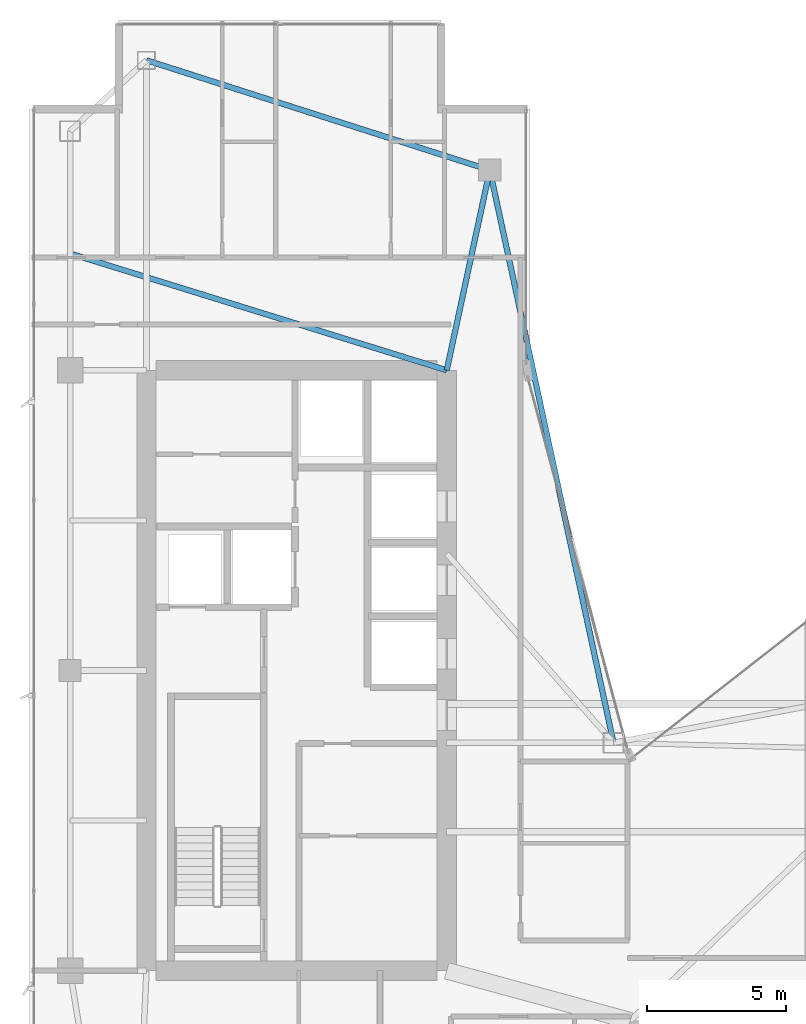
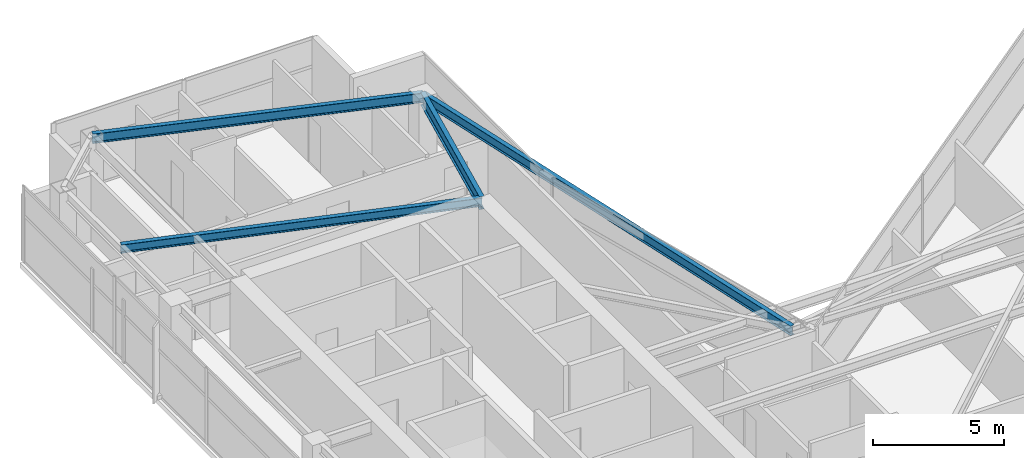
# One storey, part 19 of 30: 4 beams.
"""IFC4 building model written with IfcOpenShell, lengths in metres."""

from ifc_helpers import new_model, si_unit, direction, frame, origin, origin_2d, place, context, subcontext, project, spatial, i_section, extrude, material, material_profile, profile_set, type_object, element, save


model = new_model("IFC4")

# Units and contexts
model_context = context("Model", 3, precision=1e-05, world=origin(), true_north=direction((0.0, 1.0)))
body_context = subcontext(model_context, "Body", "Model", "MODEL_VIEW")
ifc_project = project(units=[si_unit("LENGTHUNIT", "METRE"), si_unit("AREAUNIT", "SQUARE_METRE"), si_unit("VOLUMEUNIT", "CUBIC_METRE"), si_unit("PLANEANGLEUNIT", "RADIAN"), si_unit("MASSUNIT", "GRAM", prefix="KILO")], contexts=[model_context])

# Site, building, storey
site_placement = place(None, origin())
site = spatial("IfcSite", under=ifc_project, at=site_placement, CompositionType="ELEMENT")
building_placement = place(site_placement, origin())
building = spatial("IfcBuilding", under=site, at=building_placement, Name="Calvorn Quay Hotel", CompositionType="ELEMENT")
storey_placement = place(building_placement, frame((0.0, 0.0, 207.199951171875)))
storey = spatial("IfcBuildingStorey", under=building, at=storey_placement, Name="L51", CompositionType="ELEMENT", Elevation=207.199951171875)

# Beams
ifc_material_1 = material(Name="Steel Q355B", Category="steel")
ifc_material_profile_1 = material_profile(ifc_material_1, i_section(OverallWidth=0.199951171875, OverallDepth=0.60009765625, WebThickness=0.010986328125, FlangeThickness=0.01708984375, FilletRadius=0.01806640625, at=origin_2d()), Name="HN600x200x11x17")
ifc_profile_set_1 = profile_set([ifc_material_profile_1], Name="Steel Q355B")
beam_type_1 = type_object("IfcBeamType", Name="BM-GIRD-TYP", PredefinedType="BEAM", material=ifc_profile_set_1)
beam_1_placement = place(storey_placement, frame((16.550048828125, 45.60009765625, 3.239990234375), z_axis=(-0.210457140491, -0.97760308511, 0.0), x_axis=(0.97760308511, -0.210457140491, 0.0)))
element("IfcBeam", 1, at=beam_1_placement, inside=storey, type_object=beam_type_1, Name="Beam BG-L51-W6", PredefinedType="BEAM", context=body_context, shape_type="SweptSolid", body=[
    extrude(i_section(OverallWidth=0.199951171875, OverallDepth=0.60009765625, WebThickness=0.010986328125, FlangeThickness=0.01708984375, FilletRadius=0.01806640625, at=origin_2d()), origin(), (0.0, 0.0, 1.0), 7.365234375),
])
ifc_material_2 = material(Name="Steel Q355B", Category="steel")
ifc_material_profile_2 = material_profile(ifc_material_2, i_section(OverallWidth=0.199951171875, OverallDepth=0.39990234375, WebThickness=0.008056640625, FlangeThickness=0.012939453125, FilletRadius=0.01611328125, at=origin_2d()), Name="HN400x200x8x13")
ifc_profile_set_2 = profile_set([ifc_material_profile_2], Name="Steel Q355B")
beam_type_2 = type_object("IfcBeamType", Name="BM-JOIST-TYP", PredefinedType="JOIST", material=ifc_profile_set_2)
beam_2_placement = place(storey_placement, frame((1.449951171875, 42.60009765625, 3.340087890625), z_axis=(0.955163702122, -0.296078202759, 0.0), x_axis=(0.296078202759, 0.955163702122, 0.0)))
element("IfcBeam", 2, at=beam_2_placement, inside=storey, type_object=beam_type_2, Name="Beam BJ-L51-W2", PredefinedType="JOIST", context=body_context, shape_type="SweptSolid", body=[
    extrude(i_section(OverallWidth=0.199951171875, OverallDepth=0.39990234375, WebThickness=0.008056640625, FlangeThickness=0.012939453125, FilletRadius=0.01611328125, at=origin_2d()), origin(), (0.0, 0.0, 1.0), 14.18603515625),
])
ifc_material_3 = material(Name="Steel Q355B", Category="steel")
ifc_material_profile_3 = material_profile(ifc_material_3, i_section(OverallWidth=0.199951171875, OverallDepth=0.449951171875, WebThickness=0.009033203125, FlangeThickness=0.013916015625, FilletRadius=0.01611328125, at=origin_2d()), Name="HN450x200x9x14")
ifc_profile_set_3 = profile_set([ifc_material_profile_3], Name="Steel Q355B")
beam_type_3 = type_object("IfcBeamType", Name="BM-SPANDREL-Z3", PredefinedType="SPANDREL", material=ifc_profile_set_3)
beam_3_placement = place(storey_placement, frame((4.199951171875, 49.550048828125, 3.31494140625), z_axis=(0.952470702374, -0.304630203885, 0.0), x_axis=(0.304630203885, 0.952470702374, 0.0)))
element("IfcBeam", 3, at=beam_3_placement, inside=storey, type_object=beam_type_3, Name="Beam BSP-L51-W6", PredefinedType="SPANDREL", context=body_context, shape_type="SweptSolid", body=[
    extrude(i_section(OverallWidth=0.199951171875, OverallDepth=0.449951171875, WebThickness=0.009033203125, FlangeThickness=0.013916015625, FilletRadius=0.01611328125, at=origin_2d()), origin(), (0.0, 0.0, 1.0), 12.96630859375),
])
beam_4_placement = place(storey_placement, frame((16.550048828125, 45.60009765625, 3.31494140625), z_axis=(0.211145848376, -0.977454567084, 0.0), x_axis=(0.977454567084, 0.211145848376, 0.0)))
element("IfcBeam", 4, at=beam_4_placement, inside=storey, type_object=beam_type_3, Name="Beam BSP-L51-W7", PredefinedType="SPANDREL", context=body_context, shape_type="SweptSolid", body=[
    extrude(i_section(OverallWidth=0.199951171875, OverallDepth=0.449951171875, WebThickness=0.009033203125, FlangeThickness=0.013916015625, FilletRadius=0.01611328125, at=origin_2d()), origin(), (0.0, 0.0, 1.0), 21.0751953125),
])

save(model, "model.ifc")
